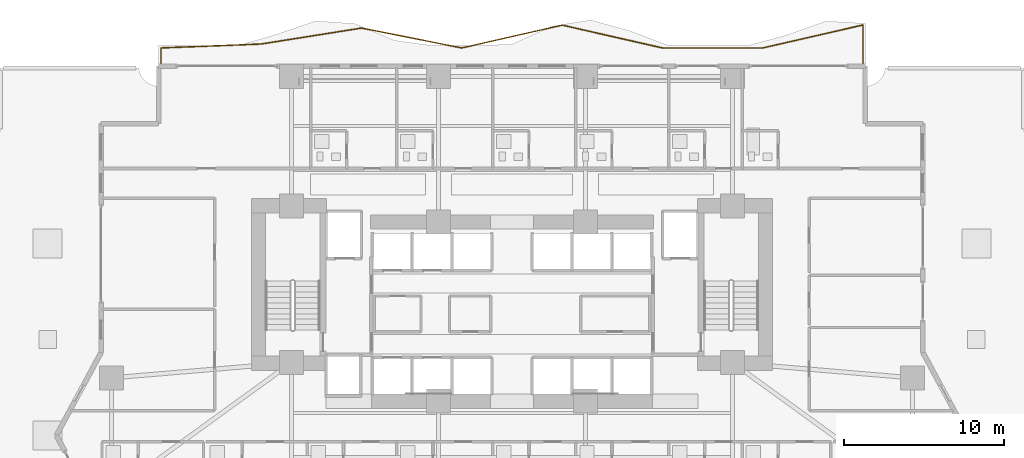
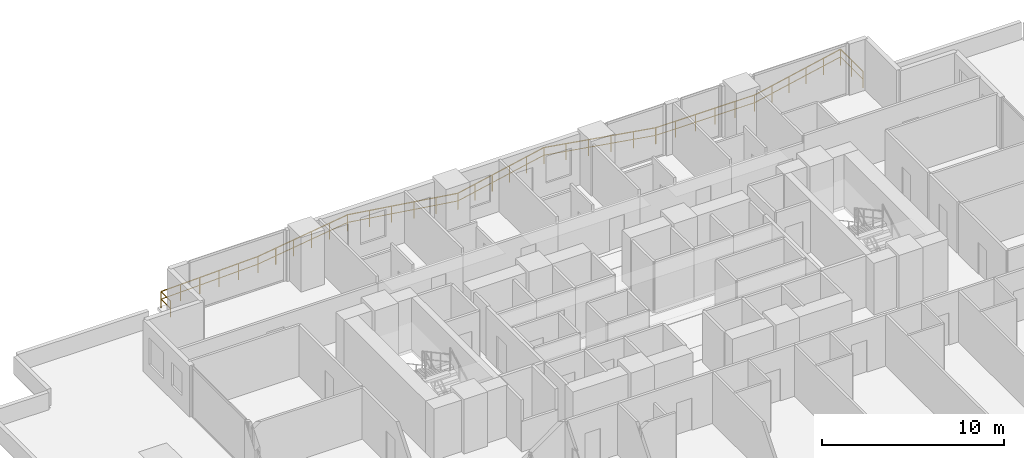
# One storey, part 29 of 30: 1 railing.
"""IFC4 building model written with IfcOpenShell, lengths in metres."""

from ifc_helpers import new_model, si_unit, direction, frame, origin, origin_2d, place, context, subcontext, project, spatial, rectangle, extrude, material, type_object, element, save


model = new_model("IFC4")

# Units and contexts
model_context = context("Model", 3, precision=1e-05, world=origin(), true_north=direction((0.0, 1.0)))
body_context = subcontext(model_context, "Body", "Model", "MODEL_VIEW")
ifc_project = project(units=[si_unit("LENGTHUNIT", "METRE"), si_unit("AREAUNIT", "SQUARE_METRE"), si_unit("VOLUMEUNIT", "CUBIC_METRE"), si_unit("PLANEANGLEUNIT", "RADIAN"), si_unit("MASSUNIT", "GRAM", prefix="KILO")], contexts=[model_context])

# Site, building, storey
site_placement = place(None, origin())
site = spatial("IfcSite", under=ifc_project, at=site_placement, CompositionType="ELEMENT")
building_placement = place(site_placement, origin())
building = spatial("IfcBuilding", under=site, at=building_placement, Name="Zuhayl Quay Hotel", CompositionType="ELEMENT")
storey_placement = place(building_placement, frame((0.0, 0.0, 27.60009765625)))
storey = spatial("IfcBuildingStorey", under=building, at=storey_placement, Name="L05", CompositionType="ELEMENT", Elevation=27.60009765625)

# Railing
ifc_material = material(Name="Anodised Aluminium and Laminated Glass", Category="aluminium")
railing_type = type_object("IfcRailingType", Name="RL_EXT_BAL_1100", PredefinedType="BALUSTRADE", material=ifc_material)
railing_placement = place(storey_placement, frame((-21.9599609375, 23.219970703125, 0.0)))
element("IfcRailing", 1, at=railing_placement, inside=storey, type_object=railing_type, Name="L05 Balcony and Terrace Guard GR_L05_BAL_N", PredefinedType="BALUSTRADE", context=body_context, shape_type="SweptSolid", body=[
    extrude(rectangle(XDim=0.048095703125, YDim=0.048095703125, at=origin_2d()), frame((0.0, 0.0, 1.09619140625), z_axis=(0.0, 1.0, 0.0), x_axis=(-1.0, 0.0, 0.0)), (0.0, 0.0, 1.0), 1.02001953125),
    extrude(rectangle(XDim=0.0361328125, YDim=0.0361328125, at=origin_2d()), frame((0.0, 0.0, 0.58251953125), z_axis=(0.0, 1.0, 0.0), x_axis=(-1.0, 0.0, 0.0)), (0.0, 0.0, 1.0), 1.02001953125),
    extrude(rectangle(XDim=0.048095703125, YDim=0.048095703125, at=origin_2d()), frame((0.0, 1.02001953125, 1.09619140625), z_axis=(0.999230128688, 0.039232001239, 0.0), x_axis=(-0.039232001239, 0.999230128688, 0.0)), (0.0, 0.0, 1.0), 6.279052734375),
    extrude(rectangle(XDim=0.0361328125, YDim=0.0361328125, at=origin_2d()), frame((0.0, 1.02001953125, 0.58251953125), z_axis=(0.999230128688, 0.039232001239, 0.0), x_axis=(-0.039232001239, 0.999230128688, 0.0)), (0.0, 0.0, 1.0), 6.279052734375),
    extrude(rectangle(XDim=0.048095703125, YDim=0.048095703125, at=origin_2d()), frame((6.274169921875, 1.266357421875, 1.09619140625), z_axis=(0.987542335718, 0.157353535594, 0.0), x_axis=(-0.157353535594, 0.987542335718, 0.0)), (0.0, 0.0, 1.0), 6.353515625),
    extrude(rectangle(XDim=0.0361328125, YDim=0.0361328125, at=origin_2d()), frame((6.274169921875, 1.266357421875, 0.58251953125), z_axis=(0.987542335718, 0.157353535594, 0.0), x_axis=(-0.157353535594, 0.987542335718, 0.0)), (0.0, 0.0, 1.0), 6.353515625),
    extrude(rectangle(XDim=0.048095703125, YDim=0.048095703125, at=origin_2d()), frame((12.548583984375, 2.26611328125, 1.09619140625), z_axis=(0.980842557671, -0.194802148502, 0.0), x_axis=(0.194802148502, 0.980842557671, 0.0)), (0.0, 0.0, 1.0), 6.396728515625),
    extrude(rectangle(XDim=0.0361328125, YDim=0.0361328125, at=origin_2d()), frame((12.548583984375, 2.26611328125, 0.58251953125), z_axis=(0.980842557671, -0.194802148502, 0.0), x_axis=(0.194802148502, 0.980842557671, 0.0)), (0.0, 0.0, 1.0), 6.396728515625),
    extrude(rectangle(XDim=0.048095703125, YDim=0.048095703125, at=origin_2d()), frame((18.82275390625, 1.02001953125, 1.09619140625), z_axis=(0.975058262308, 0.221949059708, 0.0), x_axis=(-0.221949059708, 0.975058262308, 0.0)), (0.0, 0.0, 1.0), 6.434814453125),
    extrude(rectangle(XDim=0.0361328125, YDim=0.0361328125, at=origin_2d()), frame((18.82275390625, 1.02001953125, 0.58251953125), z_axis=(0.975058262308, 0.221949059708, 0.0), x_axis=(-0.221949059708, 0.975058262308, 0.0)), (0.0, 0.0, 1.0), 6.434814453125),
    extrude(rectangle(XDim=0.048095703125, YDim=0.048095703125, at=origin_2d()), frame((25.09716796875, 2.4482421875, 1.09619140625), z_axis=(0.975056393227, -0.221957270726, 0.0), x_axis=(0.221957270726, 0.975056393227, 0.0)), (0.0, 0.0, 1.0), 6.4345703125),
    extrude(rectangle(XDim=0.0361328125, YDim=0.0361328125, at=origin_2d()), frame((25.09716796875, 2.4482421875, 0.58251953125), z_axis=(0.975056393227, -0.221957270726, 0.0), x_axis=(0.221957270726, 0.975056393227, 0.0)), (0.0, 0.0, 1.0), 6.4345703125),
    extrude(rectangle(XDim=0.048095703125, YDim=0.048095703125, at=origin_2d()), frame((31.371337890625, 1.02001953125, 1.09619140625), z_axis=(1.0, 0.0, 0.0), x_axis=(0.0, 1.0, 0.0)), (0.0, 0.0, 1.0), 6.2744140625),
    extrude(rectangle(XDim=0.0361328125, YDim=0.0361328125, at=origin_2d()), frame((31.371337890625, 1.02001953125, 0.58251953125), z_axis=(1.0, 0.0, 0.0), x_axis=(0.0, 1.0, 0.0)), (0.0, 0.0, 1.0), 6.2744140625),
    extrude(rectangle(XDim=0.048095703125, YDim=0.048095703125, at=origin_2d()), frame((37.645751953125, 1.02001953125, 1.09619140625), z_axis=(0.974743500567, 0.223327356369, 0.0), x_axis=(-0.223327356369, 0.974743500567, 0.0)), (0.0, 0.0, 1.0), 6.436767578125),
    extrude(rectangle(XDim=0.0361328125, YDim=0.0361328125, at=origin_2d()), frame((37.645751953125, 1.02001953125, 0.58251953125), z_axis=(0.974743500567, 0.223327356369, 0.0), x_axis=(-0.223327356369, 0.974743500567, 0.0)), (0.0, 0.0, 1.0), 6.436767578125),
    extrude(rectangle(XDim=0.048095703125, YDim=0.048095703125, at=origin_2d()), frame((43.919921875, 2.45751953125, 1.09619140625), z_axis=(0.0, -1.0, 0.0), x_axis=(1.0, 0.0, 0.0)), (0.0, 0.0, 1.0), 2.45751953125),
    extrude(rectangle(XDim=0.0361328125, YDim=0.0361328125, at=origin_2d()), frame((43.919921875, 2.45751953125, 0.58251953125), z_axis=(0.0, -1.0, 0.0), x_axis=(1.0, 0.0, 0.0)), (0.0, 0.0, 1.0), 2.45751953125),
    extrude(rectangle(XDim=0.0419921875, YDim=0.0419921875, at=origin_2d()), origin(), (0.0, 0.0, 1.0), 1.072021484375),
    extrude(rectangle(XDim=0.0419921875, YDim=0.0419921875, at=origin_2d()), frame((0.0, 1.02001953125, 0.0)), (0.0, 0.0, 1.0), 1.072021484375),
    extrude(rectangle(XDim=0.0419921875, YDim=0.0419921875, at=origin_2d()), frame((1.2548828125, 1.0693359375, 0.0)), (0.0, 0.0, 1.0), 1.072021484375),
    extrude(rectangle(XDim=0.0419921875, YDim=0.0419921875, at=origin_2d()), frame((2.509765625, 1.11865234375, 0.0)), (0.0, 0.0, 1.0), 1.072021484375),
    extrude(rectangle(XDim=0.0419921875, YDim=0.0419921875, at=origin_2d()), frame((3.764404296875, 1.167724609375, 0.0)), (0.0, 0.0, 1.0), 1.072021484375),
    extrude(rectangle(XDim=0.0419921875, YDim=0.0419921875, at=origin_2d()), frame((5.019287109375, 1.217041015625, 0.0)), (0.0, 0.0, 1.0), 1.072021484375),
    extrude(rectangle(XDim=0.0419921875, YDim=0.0419921875, at=origin_2d()), frame((6.274169921875, 1.266357421875, 0.0)), (0.0, 0.0, 1.0), 1.072021484375),
    extrude(rectangle(XDim=0.0419921875, YDim=0.0419921875, at=origin_2d()), frame((7.529052734375, 1.46630859375, 0.0)), (0.0, 0.0, 1.0), 1.072021484375),
    extrude(rectangle(XDim=0.0419921875, YDim=0.0419921875, at=origin_2d()), frame((8.783935546875, 1.666259765625, 0.0)), (0.0, 0.0, 1.0), 1.072021484375),
    extrude(rectangle(XDim=0.0419921875, YDim=0.0419921875, at=origin_2d()), frame((10.038818359375, 1.8662109375, 0.0)), (0.0, 0.0, 1.0), 1.072021484375),
    extrude(rectangle(XDim=0.0419921875, YDim=0.0419921875, at=origin_2d()), frame((11.293701171875, 2.066162109375, 0.0)), (0.0, 0.0, 1.0), 1.072021484375),
    extrude(rectangle(XDim=0.0419921875, YDim=0.0419921875, at=origin_2d()), frame((12.548583984375, 2.26611328125, 0.0)), (0.0, 0.0, 1.0), 1.072021484375),
    extrude(rectangle(XDim=0.0419921875, YDim=0.0419921875, at=origin_2d()), frame((13.803466796875, 2.016845703125, 0.0)), (0.0, 0.0, 1.0), 1.072021484375),
    extrude(rectangle(XDim=0.0419921875, YDim=0.0419921875, at=origin_2d()), frame((15.058349609375, 1.767578125, 0.0)), (0.0, 0.0, 1.0), 1.072021484375),
    extrude(rectangle(XDim=0.0419921875, YDim=0.0419921875, at=origin_2d()), frame((16.31298828125, 1.5185546875, 0.0)), (0.0, 0.0, 1.0), 1.072021484375),
    extrude(rectangle(XDim=0.0419921875, YDim=0.0419921875, at=origin_2d()), frame((17.56787109375, 1.269287109375, 0.0)), (0.0, 0.0, 1.0), 1.072021484375),
    extrude(rectangle(XDim=0.0419921875, YDim=0.0419921875, at=origin_2d()), frame((18.82275390625, 1.02001953125, 0.0)), (0.0, 0.0, 1.0), 1.072021484375),
    extrude(rectangle(XDim=0.0419921875, YDim=0.0419921875, at=origin_2d()), frame((20.07763671875, 1.3056640625, 0.0)), (0.0, 0.0, 1.0), 1.072021484375),
    extrude(rectangle(XDim=0.0419921875, YDim=0.0419921875, at=origin_2d()), frame((21.33251953125, 1.59130859375, 0.0)), (0.0, 0.0, 1.0), 1.072021484375),
    extrude(rectangle(XDim=0.0419921875, YDim=0.0419921875, at=origin_2d()), frame((22.58740234375, 1.876953125, 0.0)), (0.0, 0.0, 1.0), 1.072021484375),
    extrude(rectangle(XDim=0.0419921875, YDim=0.0419921875, at=origin_2d()), frame((23.84228515625, 2.16259765625, 0.0)), (0.0, 0.0, 1.0), 1.072021484375),
    extrude(rectangle(XDim=0.0419921875, YDim=0.0419921875, at=origin_2d()), frame((25.09716796875, 2.4482421875, 0.0)), (0.0, 0.0, 1.0), 1.072021484375),
    extrude(rectangle(XDim=0.0419921875, YDim=0.0419921875, at=origin_2d()), frame((26.35205078125, 2.16259765625, 0.0)), (0.0, 0.0, 1.0), 1.072021484375),
    extrude(rectangle(XDim=0.0419921875, YDim=0.0419921875, at=origin_2d()), frame((27.60693359375, 1.876953125, 0.0)), (0.0, 0.0, 1.0), 1.072021484375),
    extrude(rectangle(XDim=0.0419921875, YDim=0.0419921875, at=origin_2d()), frame((28.861572265625, 1.59130859375, 0.0)), (0.0, 0.0, 1.0), 1.072021484375),
    extrude(rectangle(XDim=0.0419921875, YDim=0.0419921875, at=origin_2d()), frame((30.116455078125, 1.3056640625, 0.0)), (0.0, 0.0, 1.0), 1.072021484375),
    extrude(rectangle(XDim=0.0419921875, YDim=0.0419921875, at=origin_2d()), frame((31.371337890625, 1.02001953125, 0.0)), (0.0, 0.0, 1.0), 1.072021484375),
    extrude(rectangle(XDim=0.0419921875, YDim=0.0419921875, at=origin_2d()), frame((32.626220703125, 1.02001953125, 0.0)), (0.0, 0.0, 1.0), 1.072021484375),
    extrude(rectangle(XDim=0.0419921875, YDim=0.0419921875, at=origin_2d()), frame((33.881103515625, 1.02001953125, 0.0)), (0.0, 0.0, 1.0), 1.072021484375),
    extrude(rectangle(XDim=0.0419921875, YDim=0.0419921875, at=origin_2d()), frame((35.135986328125, 1.02001953125, 0.0)), (0.0, 0.0, 1.0), 1.072021484375),
    extrude(rectangle(XDim=0.0419921875, YDim=0.0419921875, at=origin_2d()), frame((36.390869140625, 1.02001953125, 0.0)), (0.0, 0.0, 1.0), 1.072021484375),
    extrude(rectangle(XDim=0.0419921875, YDim=0.0419921875, at=origin_2d()), frame((37.645751953125, 1.02001953125, 0.0)), (0.0, 0.0, 1.0), 1.072021484375),
    extrude(rectangle(XDim=0.0419921875, YDim=0.0419921875, at=origin_2d()), frame((38.900634765625, 1.3076171875, 0.0)), (0.0, 0.0, 1.0), 1.072021484375),
    extrude(rectangle(XDim=0.0419921875, YDim=0.0419921875, at=origin_2d()), frame((40.155517578125, 1.594970703125, 0.0)), (0.0, 0.0, 1.0), 1.072021484375),
    extrude(rectangle(XDim=0.0419921875, YDim=0.0419921875, at=origin_2d()), frame((41.41015625, 1.882568359375, 0.0)), (0.0, 0.0, 1.0), 1.072021484375),
    extrude(rectangle(XDim=0.0419921875, YDim=0.0419921875, at=origin_2d()), frame((42.6650390625, 2.169921875, 0.0)), (0.0, 0.0, 1.0), 1.072021484375),
    extrude(rectangle(XDim=0.0419921875, YDim=0.0419921875, at=origin_2d()), frame((43.919921875, 2.45751953125, 0.0)), (0.0, 0.0, 1.0), 1.072021484375),
    extrude(rectangle(XDim=0.0419921875, YDim=0.0419921875, at=origin_2d()), frame((43.919921875, 1.228759765625, 0.0)), (0.0, 0.0, 1.0), 1.072021484375),
    extrude(rectangle(XDim=0.0419921875, YDim=0.0419921875, at=origin_2d()), frame((43.919921875, 0.0, 0.0)), (0.0, 0.0, 1.0), 1.072021484375),
])

save(model, "model.ifc")
